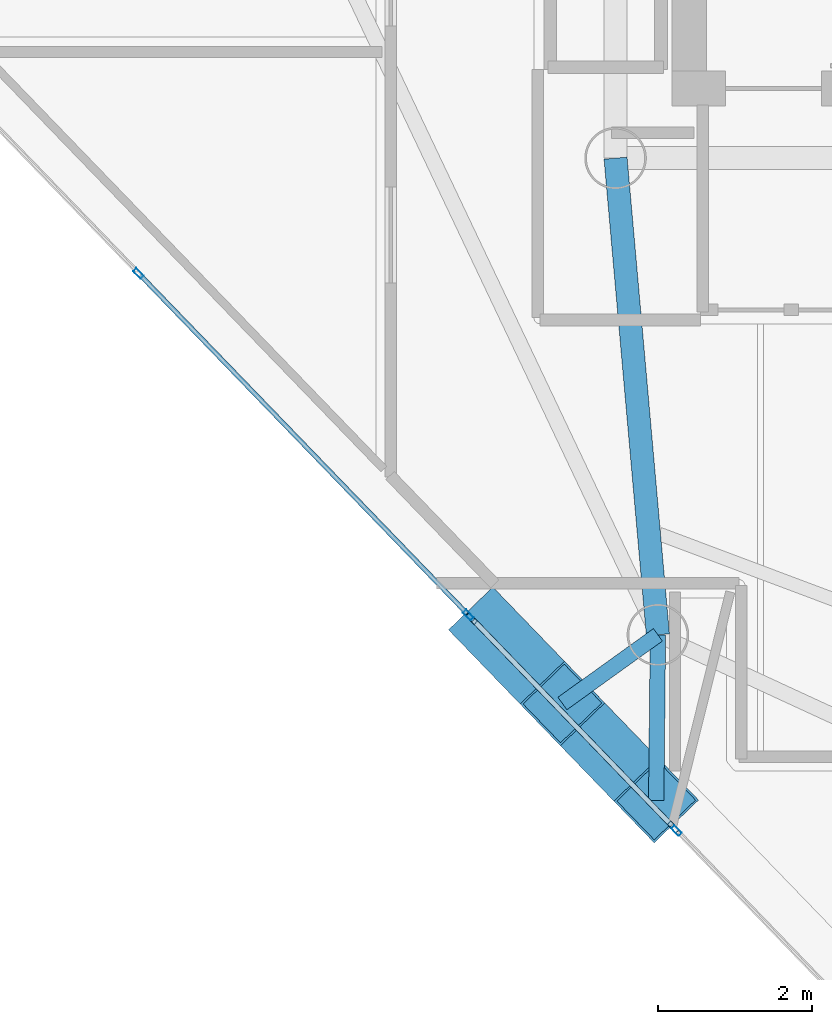
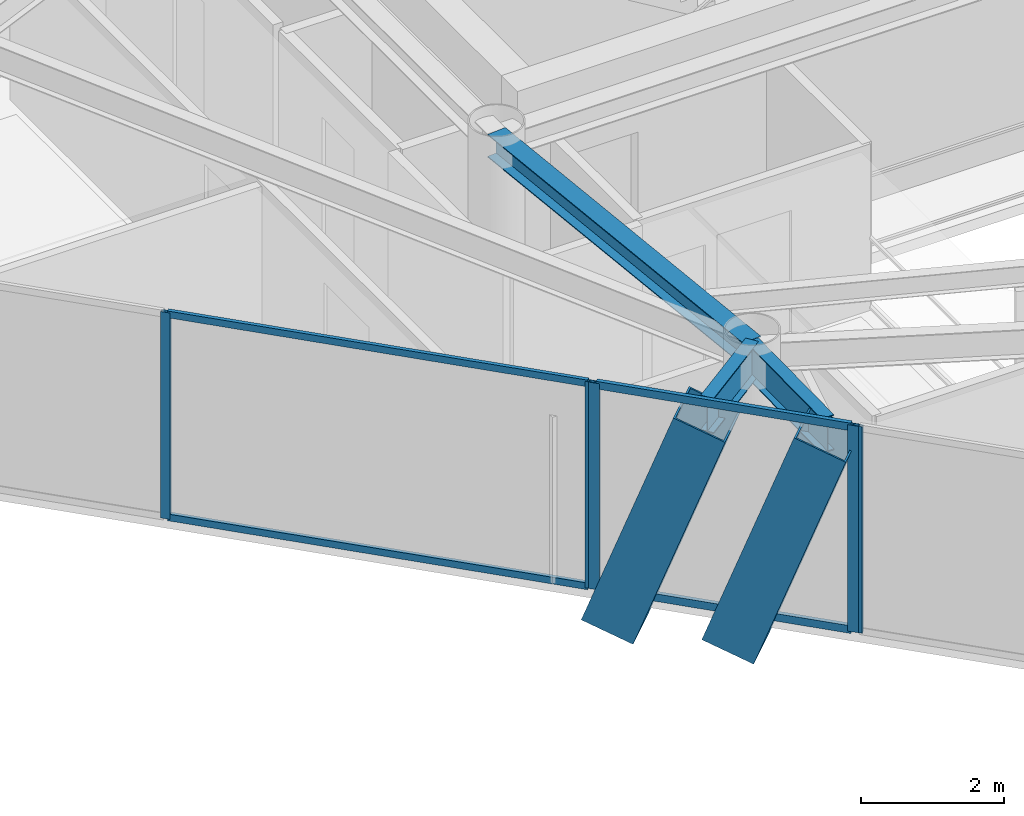
# One storey, part 3 of 18: 11 members, 3 beams, 3 elements without a shape of their own.
"""IFC4 building model written with IfcOpenShell, lengths in metres."""

from ifc_helpers import new_model, si_unit, direction, frame, origin, origin_2d, place, context, subcontext, project, spatial, hollow_rectangle, i_section, extrude, material, layer, layer_set, material_profile, profile_set, type_object, element, aggregate, save


model = new_model("IFC4")

# Units and contexts
model_context = context("Model", 3, precision=1e-05, world=origin(), true_north=direction((0.0, 1.0)))
body_context = subcontext(model_context, "Body", "Model", "MODEL_VIEW")
ifc_project = project(units=[si_unit("LENGTHUNIT", "METRE"), si_unit("AREAUNIT", "SQUARE_METRE"), si_unit("VOLUMEUNIT", "CUBIC_METRE"), si_unit("PLANEANGLEUNIT", "RADIAN"), si_unit("MASSUNIT", "GRAM", prefix="KILO")], contexts=[model_context])

# Site, building, storey
site_placement = place(None, origin())
site = spatial("IfcSite", under=ifc_project, at=site_placement, CompositionType="ELEMENT")
building_placement = place(site_placement, origin())
building = spatial("IfcBuilding", under=site, at=building_placement, Name="Qianvela Tower", CompositionType="ELEMENT")
storey_placement = place(building_placement, frame((0.0, 0.0, 337.0)))
storey = spatial("IfcBuildingStorey", under=building, at=storey_placement, Name="L87", CompositionType="ELEMENT", Elevation=337.0)

# Beams
ifc_material_1 = material(Name="Steel Q355B", Category="steel")
ifc_material_profile_1 = material_profile(ifc_material_1, i_section(OverallWidth=0.300048828125, OverallDepth=0.389892578125, WebThickness=0.010009765625, FlangeThickness=0.01611328125, at=origin_2d()), Name="HM390x300x10x16")
ifc_profile_set_1 = profile_set([ifc_material_profile_1], Name="Steel Q355B")
beam_type_1 = type_object("IfcBeamType", Name="BM-HM390-COLL", PredefinedType="BEAM", material=ifc_profile_set_1)
beam_1_placement = place(storey_placement, frame((28.60009765625, 23.85009765625, 3.322998046875), z_axis=(0.088501665624, -0.996076028816, 0.0), x_axis=(0.996076028816, 0.088501665624, 0.0)))
element("IfcBeam", 1, at=beam_1_placement, inside=storey, type_object=beam_type_1, Name="L87 Radial Primary Floor Girder 4", PredefinedType="BEAM", context=body_context, shape_type="SweptSolid", body=[
    extrude(i_section(OverallWidth=0.300048828125, OverallDepth=0.389892578125, WebThickness=0.010009765625, FlangeThickness=0.01611328125, at=origin_2d()), origin(), (0.0, 0.0, 1.0), 6.21240234375),
])
ifc_material_2 = material(Name="Steel Q355B", Category="steel")
ifc_material_profile_2 = material_profile(ifc_material_2, i_section(OverallWidth=0.199951171875, OverallDepth=0.60009765625, WebThickness=0.010986328125, FlangeThickness=0.01708984375, at=origin_2d()), Name="HN600x200x11x17")
ifc_profile_set_2 = profile_set([ifc_material_profile_2], Name="Steel Q355B")
beam_type_2 = type_object("IfcBeamType", Name="BM-HN600-GIRD", PredefinedType="BEAM", material=ifc_profile_set_2)
beam_2_placement = place(storey_placement, frame((29.14990234375, 17.662109375, 3.218017578125), z_axis=(-0.811870880344, -0.583837026617, 0.0), x_axis=(0.583837026617, -0.811870880344, 0.0)))
element("IfcBeam", 2, at=beam_2_placement, inside=storey, type_object=beam_type_2, Name="L87 Mega-Brace Column Tie Bracket F2-1", PredefinedType="BEAM", context=body_context, shape_type="SweptSolid", body=[
    extrude(i_section(OverallWidth=0.199951171875, OverallDepth=0.60009765625, WebThickness=0.010986328125, FlangeThickness=0.01708984375, at=origin_2d()), origin(), (0.0, 0.0, 1.0), 1.526611328125),
])
beam_3_placement = place(storey_placement, frame((29.14990234375, 17.662109375, 3.218017578125), z_axis=(-0.010209337436, -0.999947883356, 0.0), x_axis=(0.999947883356, -0.010209337436, 0.0)))
element("IfcBeam", 3, at=beam_3_placement, inside=storey, type_object=beam_type_2, Name="L87 Mega-Brace Column Tie Bracket F2-2", PredefinedType="BEAM", context=body_context, shape_type="SweptSolid", body=[
    extrude(i_section(OverallWidth=0.199951171875, OverallDepth=0.60009765625, WebThickness=0.010986328125, FlangeThickness=0.01708984375, at=origin_2d()), origin(), (0.0, 0.0, 1.0), 2.152099609375),
])

# Curtain wall, members
ifc_material_3 = material(Name="Anodised Architectural Aluminium and Insulated Spandrel Panel", Category="aluminium")
ifc_layer_1 = layer(ifc_material_3, 0.179931640625)
ifc_layer_set_1 = layer_set([ifc_layer_1], Name="Anodised Architectural Aluminium and Insulated Spandrel Panel")
curtain_wall_type_1 = type_object("IfcCurtainWallType", Name="CW-BRACEBAY", PredefinedType="USERDEFINED", material=ifc_layer_set_1)
curtain_wall_1_placement = place(storey_placement, origin())
curtain_wall_1 = element("IfcCurtainWall", 4, at=curtain_wall_1_placement, inside=storey, type_object=curtain_wall_type_1, Name="L87 CW-BRACEBAY Curtain Wall 04B", ObjectType="CURTAIN_WALL_SYSTEM", PredefinedType="USERDEFINED")
ifc_material_4 = material(Name="Anodised Architectural Aluminium 6063-T6", Category="aluminium")
ifc_material_profile_3 = material_profile(ifc_material_4, hollow_rectangle(XDim=0.06494140625, YDim=0.159912109375, WallThickness=0.0048828125, at=origin_2d()), Name="ALU-MULL-65x160")
ifc_profile_set_3 = profile_set([ifc_material_profile_3], Name="Anodised Architectural Aluminium 6063-T6")
member_type_1 = type_object("IfcMemberType", Name="CW-BRACEBAY-MULL", PredefinedType="MULLION", material=ifc_profile_set_3)
member_1_placement = place(storey_placement, frame((26.73291015625, 17.875, 0.0), z_axis=(0.0, 0.0, 1.0), x_axis=(0.719335774576, 0.694662539234, 0.0)))
member_1 = element("IfcMember", 5, at=member_1_placement, type_object=member_type_1, Name="CW-9 mullion 1", PredefinedType="MULLION", context=body_context, shape_type="SweptSolid", body=[
    extrude(hollow_rectangle(XDim=0.06494140625, YDim=0.159912109375, WallThickness=0.0048828125, at=origin_2d()), origin(), (0.0, 0.0, 1.0), 3.52001953125),
])
member_2_placement = place(storey_placement, frame((29.348388671875, 15.166748046875, 0.0), z_axis=(0.0, 0.0, 1.0), x_axis=(0.719335774576, 0.694662539234, 0.0)))
member_2 = element("IfcMember", 6, at=member_2_placement, type_object=member_type_1, Name="CW-9 mullion 2", PredefinedType="MULLION", context=body_context, shape_type="SweptSolid", body=[
    extrude(hollow_rectangle(XDim=0.06494140625, YDim=0.159912109375, WallThickness=0.0048828125, at=origin_2d()), origin(), (0.0, 0.0, 1.0), 3.52001953125),
])
ifc_material_5 = material(Name="Anodised Architectural Aluminium 6063-T6", Category="aluminium")
ifc_material_profile_4 = material_profile(ifc_material_5, hollow_rectangle(XDim=0.06494140625, YDim=0.1298828125, WallThickness=0.00439453125, at=origin_2d()), Name="ALU-TRAN-65x130")
ifc_profile_set_4 = profile_set([ifc_material_profile_4], Name="Anodised Architectural Aluminium 6063-T6")
member_type_2 = type_object("IfcMemberType", Name="CW-BRACEBAY-TRAN", PredefinedType="USERDEFINED", material=ifc_profile_set_4)
member_3_placement = place(storey_placement, frame((26.75537109375, 17.851806640625, 0.032470703125), z_axis=(0.694660452363, -0.719337789861, 0.0), x_axis=(0.719337789861, 0.694660452363, 0.0)))
member_3 = element("IfcMember", 7, at=member_3_placement, type_object=member_type_2, Name="CW-9 transom 1.1", ObjectType="TRANSOM", PredefinedType="USERDEFINED", context=body_context, shape_type="SweptSolid", body=[
    extrude(hollow_rectangle(XDim=0.06494140625, YDim=0.1298828125, WallThickness=0.00439453125, at=origin_2d()), origin(), (0.0, 0.0, 1.0), 3.7001953125),
])
member_4_placement = place(storey_placement, frame((26.75537109375, 17.851806640625, 3.487548828125), z_axis=(0.694660452363, -0.719337789861, 0.0), x_axis=(0.719337789861, 0.694660452363, 0.0)))
member_4 = element("IfcMember", 8, at=member_4_placement, type_object=member_type_2, Name="CW-9 transom 1.2", ObjectType="TRANSOM", PredefinedType="USERDEFINED", context=body_context, shape_type="SweptSolid", body=[
    extrude(hollow_rectangle(XDim=0.06494140625, YDim=0.1298828125, WallThickness=0.00439453125, at=origin_2d()), origin(), (0.0, 0.0, 1.0), 3.7001953125),
])
aggregate(curtain_wall_1, [member_1, member_2, member_3, member_4])

ifc_material_6 = material(Name="Anodised Architectural Aluminium and Low-E Glass", Category="aluminium")
ifc_layer_2 = layer(ifc_material_6, 0.14990234375)
ifc_layer_set_2 = layer_set([ifc_layer_2], Name="Anodised Architectural Aluminium and Low-E Glass")
curtain_wall_type_2 = type_object("IfcCurtainWallType", Name="CW-COLIV-Z78", PredefinedType="USERDEFINED", material=ifc_layer_set_2)
curtain_wall_2_placement = place(storey_placement, origin())
curtain_wall_2 = element("IfcCurtainWall", 9, at=curtain_wall_2_placement, inside=storey, type_object=curtain_wall_type_2, Name="L87 CW-COLIV-Z78 Curtain Wall 04A", ObjectType="CURTAIN_WALL_SYSTEM", PredefinedType="USERDEFINED")
ifc_material_7 = material(Name="Anodised Architectural Aluminium 6063-T6", Category="aluminium")
ifc_material_profile_5 = material_profile(ifc_material_7, hollow_rectangle(XDim=0.06005859375, YDim=0.139892578125, WallThickness=0.00439453125, at=origin_2d()), Name="ALU-MULL-60x140")
ifc_profile_set_5 = profile_set([ifc_material_profile_5], Name="Anodised Architectural Aluminium 6063-T6")
member_type_3 = type_object("IfcMemberType", Name="CW-COLIV-Z78-MULL", PredefinedType="MULLION", material=ifc_profile_set_5)
member_5_placement = place(storey_placement, frame((22.406982421875, 22.354736328125, 0.0), z_axis=(0.0, 0.0, 1.0), x_axis=(0.719339710572, 0.694658463415, 0.0)))
member_5 = element("IfcMember", 10, at=member_5_placement, type_object=member_type_3, Name="CW-6 mullion 2", PredefinedType="MULLION", context=body_context, shape_type="SweptSolid", body=[
    extrude(hollow_rectangle(XDim=0.06005859375, YDim=0.139892578125, WallThickness=0.00439453125, at=origin_2d()), origin(), (0.0, 0.0, 1.0), 3.52001953125),
])
member_6_placement = place(storey_placement, frame((26.689453125, 17.920166015625, 0.0), z_axis=(0.0, 0.0, 1.0), x_axis=(0.719339710572, 0.694658463415, 0.0)))
member_6 = element("IfcMember", 11, at=member_6_placement, type_object=member_type_3, Name="CW-6 mullion 3", PredefinedType="MULLION", context=body_context, shape_type="SweptSolid", body=[
    extrude(hollow_rectangle(XDim=0.06005859375, YDim=0.139892578125, WallThickness=0.00439453125, at=origin_2d()), origin(), (0.0, 0.0, 1.0), 3.52001953125),
])

# Curtain wall, member
curtain_wall_3_placement = place(storey_placement, origin())
curtain_wall_3 = element("IfcCurtainWall", 12, at=curtain_wall_3_placement, inside=storey, type_object=curtain_wall_type_2, Name="L87 CW-COLIV-Z78 Curtain Wall 04C", ObjectType="CURTAIN_WALL_SYSTEM", PredefinedType="USERDEFINED")
member_7_placement = place(storey_placement, frame((29.391845703125, 15.121826171875, 0.0), z_axis=(0.0, 0.0, 1.0), x_axis=(0.719340616701, 0.69465752509, 0.0)))
member_7 = element("IfcMember", 13, at=member_7_placement, type_object=member_type_3, Name="CW-6 mullion 1", PredefinedType="MULLION", context=body_context, shape_type="SweptSolid", body=[
    extrude(hollow_rectangle(XDim=0.06005859375, YDim=0.139892578125, WallThickness=0.00439453125, at=origin_2d()), origin(), (0.0, 0.0, 1.0), 3.52001953125),
])
aggregate(curtain_wall_3, [member_7])

# Member
ifc_material_8 = material(Name="Anodised Architectural Aluminium 6063-T6", Category="aluminium")
ifc_material_profile_6 = material_profile(ifc_material_8, hollow_rectangle(XDim=0.06005859375, YDim=0.114990234375, WallThickness=0.00390625, at=origin_2d()), Name="ALU-TRAN-60x115")
ifc_profile_set_6 = profile_set([ifc_material_profile_6], Name="Anodised Architectural Aluminium 6063-T6")
member_type_4 = type_object("IfcMemberType", Name="CW-COLIV-Z78-TRAN", PredefinedType="USERDEFINED", material=ifc_profile_set_6)
member_8_placement = place(storey_placement, frame((22.427734375, 22.333251953125, 0.030029296875), z_axis=(0.694662308657, -0.719335997244, 0.0), x_axis=(0.719335997244, 0.694662308657, 0.0)))
member_8 = element("IfcMember", 14, at=member_8_placement, type_object=member_type_4, Name="CW-6 transom 2.1", ObjectType="TRANSOM", PredefinedType="USERDEFINED", context=body_context, shape_type="SweptSolid", body=[
    extrude(hollow_rectangle(XDim=0.06005859375, YDim=0.114990234375, WallThickness=0.00390625, at=origin_2d()), origin(), (0.0, 0.0, 1.0), 6.10498046875),
])

member_9_placement = place(storey_placement, frame((22.427734375, 22.333251953125, 3.489990234375), z_axis=(0.694662308657, -0.719335997244, 0.0), x_axis=(0.719335997244, 0.694662308657, 0.0)))
member_9 = element("IfcMember", 15, at=member_9_placement, type_object=member_type_4, Name="CW-6 transom 2.2", ObjectType="TRANSOM", PredefinedType="USERDEFINED", context=body_context, shape_type="SweptSolid", body=[
    extrude(hollow_rectangle(XDim=0.06005859375, YDim=0.114990234375, WallThickness=0.00390625, at=origin_2d()), origin(), (0.0, 0.0, 1.0), 6.10498046875),
])

aggregate(curtain_wall_2, [member_5, member_6, member_8, member_9])

# Members
ifc_material_9 = material(Name="Steel Q420GJC", Category="steel")
ifc_material_profile_7 = material_profile(ifc_material_9, hollow_rectangle(XDim=0.800048828125, YDim=0.800048828125, WallThickness=0.028076171875, at=origin_2d()), Name="MBOX-800x800x28")
ifc_profile_set_7 = profile_set([ifc_material_profile_7], Name="Steel Q420GJC")
member_type_5 = type_object("IfcMemberType", Name="MBR-MBRACE-800", PredefinedType="BRACE", material=ifc_profile_set_7)
for number, where, z_axis, x_axis, name in (
    (16, (26.98046875, 17.73388671875, -0.48193359375), (0.236339836418, -0.244778328871, 0.940333478845), (0.719398318459, 0.694597768063, 0.0), "L87 Tier 14 Exterior Mega-Brace F2A"),
    (17, (28.19775390625, 16.473388671875, -0.48193359375), (0.236394826424, -0.244833066948, 0.94030540537), (0.719395177906, 0.694601020735, 0.0), "L87 Tier 14 Exterior Mega-Brace F2B"),
):
    element("IfcMember", number, at=place(storey_placement, frame(where, z_axis=z_axis, x_axis=x_axis)), inside=storey, type_object=member_type_5, Name=name, PredefinedType="BRACE", context=body_context, shape_type="SweptSolid", body=[
        extrude(hollow_rectangle(XDim=0.800048828125, YDim=0.800048828125, WallThickness=0.028076171875, at=origin_2d()), origin(), (0.0, 0.0, 1.0), 3.934814453125),
    ])

save(model, "model.ifc")
